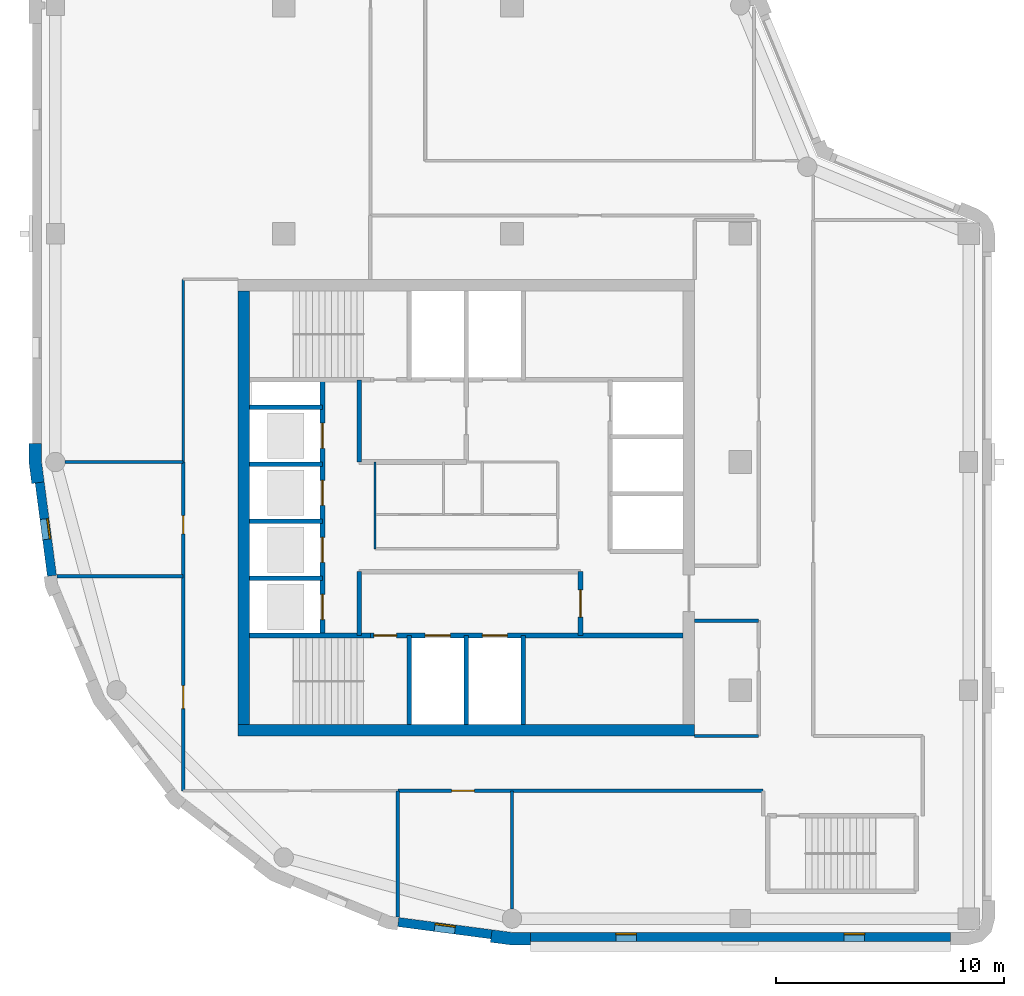
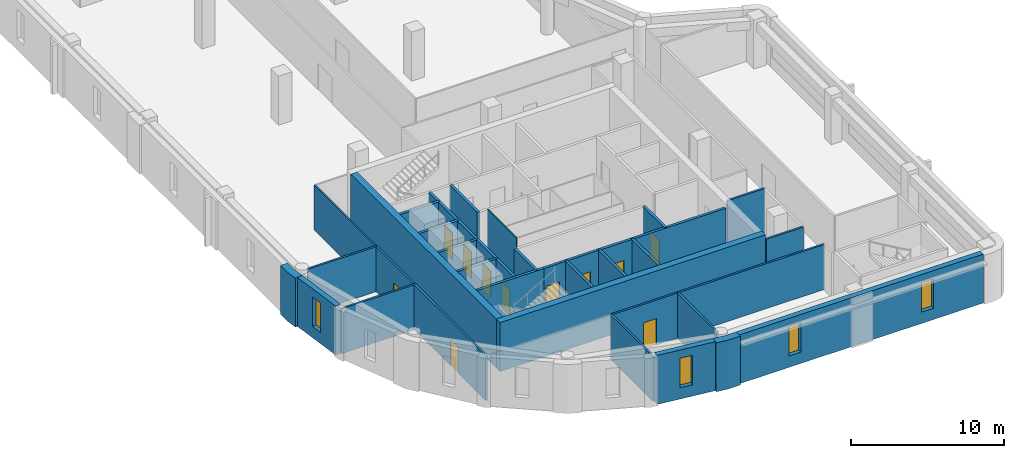
# One storey, part 2 of 8: 30 walls, 11 doors, 4 windows, 15 openings.
"""IFC4 building model written with IfcOpenShell, lengths in metres."""

from ifc_helpers import new_model, si_unit, direction, frame, frame_2d, origin, place, context, subcontext, project, spatial, polyline, rectangle, outline, extrude, material, layer, layer_set, type_object, element, fill, save


model = new_model("IFC4")

# Units and contexts
model_context = context("Model", 3, precision=1e-05, world=origin(), true_north=direction((0.0, 1.0)))
body_context = subcontext(model_context, "Body", "Model", "MODEL_VIEW")
ifc_project = project(units=[si_unit("LENGTHUNIT", "METRE"), si_unit("AREAUNIT", "SQUARE_METRE"), si_unit("VOLUMEUNIT", "CUBIC_METRE"), si_unit("PLANEANGLEUNIT", "RADIAN"), si_unit("MASSUNIT", "GRAM", prefix="KILO")], contexts=[model_context])

# Site, building, storey
site_placement = place(None, origin())
site = spatial("IfcSite", under=ifc_project, at=site_placement, CompositionType="ELEMENT")
building_placement = place(site_placement, origin())
building = spatial("IfcBuilding", under=site, at=building_placement, Name="Qaws Garden Tower", CompositionType="ELEMENT")
storey_placement = place(building_placement, frame((0.0, 0.0, 282.60009765625)))
storey = spatial("IfcBuildingStorey", under=building, at=storey_placement, Name="L68", CompositionType="ELEMENT", Elevation=282.60009765625)

# Wall, openings, windows
ifc_material_1 = material(Name="Clay facing brick masonry", Category="masonry")
ifc_layer_1 = layer(ifc_material_1, 0.39990234375)
ifc_layer_set_1 = layer_set([ifc_layer_1], Name="Clay facing brick masonry")
wall_type_1 = type_object("IfcWallType", Name="Brick infill wall 400", PredefinedType="SOLIDWALL", material=ifc_layer_set_1)
wall_1_placement = place(storey_placement, frame((20.800048828125, -0.800048828125, 0.0), z_axis=(0.0, 0.0, 1.0), x_axis=(1.0, 0.0, 0.0)))
wall_1 = element("IfcWall", 1, at=wall_1_placement, inside=storey, type_object=wall_type_1, Name="E-L68-infill-00", PredefinedType="SOLIDWALL", context=body_context, shape_type="SweptSolid", body=[
    extrude(rectangle(XDim=18.39990234375, YDim=0.39990234375, at=frame_2d((9.199951171875, 0.0))), origin(), (0.0, 0.0, 1.0), 3.89990234375),
])
opening_1_placement = place(wall_1_placement, frame((3.75, 0.0, 0.89990234375)))
opening_1 = element("IfcOpeningElement", 2, at=opening_1_placement, cuts=wall_1, Name="Opening W09", PredefinedType="OPENING", context=body_context, shape_type="SweptSolid", body=[
    extrude(rectangle(XDim=0.89990234375, YDim=2.35009765625, at=frame_2d((0.449951171875, 1.175048828125))), frame((0.0, 0.2099609375, 0.0), z_axis=(0.0, -1.0, 0.0), x_axis=(1.0, 0.0, 0.0)), (0.0, 0.0, 1.0), 0.419921875),
])
opening_2_placement = place(wall_1_placement, frame((13.75, 0.0, 0.89990234375)))
opening_2 = element("IfcOpeningElement", 3, at=opening_2_placement, cuts=wall_1, Name="Opening W09", PredefinedType="OPENING", context=body_context, shape_type="SweptSolid", body=[
    extrude(rectangle(XDim=0.89990234375, YDim=2.35009765625, at=frame_2d((0.449951171875, 1.175048828125))), frame((0.0, 0.2099609375, 0.0), z_axis=(0.0, -1.0, 0.0), x_axis=(1.0, 0.0, 0.0)), (0.0, 0.0, 1.0), 0.419921875),
])
ifc_material_2 = material(Name="Aluminium framed window, clear glazing", Category="aluminium")
window_type = type_object("IfcWindowType", Name="Slit window 900 x 2350", PartitioningType="SINGLE_PANEL", PredefinedType="WINDOW", material=ifc_material_2)
window_1_placement = place(opening_1_placement, origin())
window_1 = element("IfcWindow", 4, at=window_1_placement, inside=storey, type_object=window_type, Name="E-L68-window-00-0", OverallHeight=2.35009765625, OverallWidth=0.89990234375, PartitioningType="SINGLE_PANEL", PredefinedType="WINDOW", context=body_context, shape_type="SweptSolid", body=[
    extrude(rectangle(XDim=0.89990234375, YDim=2.35009765625, at=frame_2d((0.449951171875, 1.175048828125))), frame((0.0, 0.159912109375, 0.0), z_axis=(0.0, -1.0, 0.0), x_axis=(1.0, 0.0, 0.0)), (0.0, 0.0, 1.0), 0.06005859375),
])
fill(opening_1, window_1)
window_2_placement = place(opening_2_placement, origin())
window_2 = element("IfcWindow", 5, at=window_2_placement, inside=storey, type_object=window_type, Name="E-L68-window-01-0", OverallHeight=2.35009765625, OverallWidth=0.89990234375, PartitioningType="SINGLE_PANEL", PredefinedType="WINDOW", context=body_context, shape_type="SweptSolid", body=[
    extrude(rectangle(XDim=0.89990234375, YDim=2.35009765625, at=frame_2d((0.449951171875, 1.175048828125))), frame((0.0, 0.159912109375, 0.0), z_axis=(0.0, -1.0, 0.0), x_axis=(1.0, 0.0, 0.0)), (0.0, 0.0, 1.0), 0.06005859375),
])
fill(opening_2, window_2)

# Wall, opening, window
wall_2_placement = place(storey_placement, frame((-0.688720703125, 19.102294921875, 0.0), z_axis=(0.0, 0.0, 1.0), x_axis=(0.130514280502, -0.991446429508, 0.0)))
wall_2 = element("IfcWall", 6, at=wall_2_placement, inside=storey, type_object=wall_type_1, Name="E-L68-infill-21", PredefinedType="SOLIDWALL", context=body_context, shape_type="SweptSolid", body=[
    extrude(rectangle(XDim=4.120849609375, YDim=0.39990234375, at=frame_2d((2.060546875, 0.0))), origin(), (0.0, 0.0, 1.0), 3.89990234375),
])
opening_3_placement = place(wall_2_placement, frame((1.610595703125, 0.0, 0.89990234375)))
opening_3 = element("IfcOpeningElement", 7, at=opening_3_placement, cuts=wall_2, Name="Opening W09", PredefinedType="OPENING", context=body_context, shape_type="SweptSolid", body=[
    extrude(rectangle(XDim=0.89990234375, YDim=2.35009765625, at=frame_2d((0.449951171875, 1.175048828125))), frame((0.0, 0.2099609375, 0.0), z_axis=(0.0, -1.0, 0.0), x_axis=(1.0, 0.0, 0.0)), (0.0, 0.0, 1.0), 0.419921875),
])
window_3_placement = place(opening_3_placement, origin())
window_3 = element("IfcWindow", 8, at=window_3_placement, inside=storey, type_object=window_type, Name="E-L68-window-21-0", OverallHeight=2.35009765625, OverallWidth=0.89990234375, PartitioningType="SINGLE_PANEL", PredefinedType="WINDOW", context=body_context, shape_type="SweptSolid", body=[
    extrude(rectangle(XDim=0.89990234375, YDim=2.35009765625, at=frame_2d((0.449951171875, 1.175048828125))), frame((0.0, 0.159912109375, 0.0), z_axis=(0.0, -1.0, 0.0), x_axis=(1.0, 0.0, 0.0)), (0.0, 0.0, 1.0), 0.06005859375),
])
fill(opening_3, window_3)

wall_3_placement = place(storey_placement, frame((15.0166015625, -0.15087890625, 0.0), z_axis=(0.0, 0.0, 1.0), x_axis=(0.991446429508, -0.130514280502, 0.0)))
wall_3 = element("IfcWall", 9, at=wall_3_placement, inside=storey, type_object=wall_type_1, Name="E-L68-infill-26", PredefinedType="SOLIDWALL", context=body_context, shape_type="SweptSolid", body=[
    extrude(rectangle(XDim=4.120849609375, YDim=0.39990234375, at=frame_2d((2.060546875, 0.0))), origin(), (0.0, 0.0, 1.0), 3.89990234375),
])
opening_4_placement = place(wall_3_placement, frame((1.610595703125, 0.0, 0.89990234375)))
opening_4 = element("IfcOpeningElement", 10, at=opening_4_placement, cuts=wall_3, Name="Opening W09", PredefinedType="OPENING", context=body_context, shape_type="SweptSolid", body=[
    extrude(rectangle(XDim=0.89990234375, YDim=2.35009765625, at=frame_2d((0.449951171875, 1.175048828125))), frame((0.0, 0.2099609375, 0.0), z_axis=(0.0, -1.0, 0.0), x_axis=(1.0, 0.0, 0.0)), (0.0, 0.0, 1.0), 0.419921875),
])
window_4_placement = place(opening_4_placement, origin())
window_4 = element("IfcWindow", 11, at=window_4_placement, inside=storey, type_object=window_type, Name="E-L68-window-26-0", OverallHeight=2.35009765625, OverallWidth=0.89990234375, PartitioningType="SINGLE_PANEL", PredefinedType="WINDOW", context=body_context, shape_type="SweptSolid", body=[
    extrude(rectangle(XDim=0.89990234375, YDim=2.35009765625, at=frame_2d((0.449951171875, 1.175048828125))), frame((0.0, 0.159912109375, 0.0), z_axis=(0.0, -1.0, 0.0), x_axis=(1.0, 0.0, 0.0)), (0.0, 0.0, 1.0), 0.06005859375),
])
fill(opening_4, window_4)

# Walls
ifc_material_3 = material(Name="Clay facing brick masonry", Category="masonry")
ifc_layer_2 = layer(ifc_material_3, 0.550048828125)
ifc_layer_set_2 = layer_set([ifc_layer_2], Name="Clay facing brick masonry")
wall_type_2 = type_object("IfcWallType", Name="Brick pier 550 x 1600", PredefinedType="SOLIDWALL", material=ifc_layer_set_2)
placement = place(storey_placement, origin())
element("IfcWall", 12, at=placement, inside=storey, type_object=wall_type_2, Name="E-L68-pier-00", PredefinedType="SOLIDWALL", context=body_context, shape_type="SweptSolid", body=[
    extrude(outline(polyline([(19.076416015625, -0.886962890625), (19.056640625, -1.03564453125), (19.924560546875, -1.14990234375), (20.800048828125, -1.14990234375), (20.800048828125, -1.0), (20.800048828125, -0.60009765625), (19.960693359375, -0.60009765625), (19.12841796875, -0.490478515625), (19.076416015625, -0.886962890625)])), origin(), (0.0, 0.0, 1.0), 3.89990234375),
])
element("IfcWall", 13, at=placement, inside=storey, type_object=wall_type_2, Name="E-L68-pier-21", PredefinedType="SOLIDWALL", context=body_context, shape_type="SweptSolid", body=[
    extrude(outline(polyline([(-1.0, 20.800048828125), (-1.14990234375, 20.800048828125), (-1.14990234375, 19.924560546875), (-1.03564453125, 19.056640625), (-0.886962890625, 19.076416015625), (-0.490478515625, 19.12841796875), (-0.60009765625, 19.960693359375), (-0.60009765625, 20.800048828125), (-1.0, 20.800048828125)])), origin(), (0.0, 0.0, 1.0), 3.89990234375),
])
ifc_material_4 = material(Name="Plasterboard")
ifc_layer_3 = layer(ifc_material_4, 0.10009765625)
ifc_layer_set_3 = layer_set([ifc_layer_3], Name="Plasterboard")
wall_type_3 = type_object("IfcWallType", Name="Core partition 100", PredefinedType="PARTITIONING", material=ifc_layer_set_3)
wall_6_placement = place(storey_placement, frame((14.0, 16.199951171875, 0.0), z_axis=(0.0, 0.0, 1.0), x_axis=(0.0, 1.0, 0.0)))
element("IfcWall", 14, at=wall_6_placement, inside=storey, type_object=wall_type_3, Name="Core partition", PredefinedType="PARTITIONING", context=body_context, shape_type="SweptSolid", body=[
    extrude(rectangle(XDim=3.800048828125, YDim=0.10009765625, at=frame_2d((1.89990234375, 0.0))), origin(), (0.0, 0.0, 1.0), 3.579833984375),
])
ifc_material_5 = material(Name="Concrete C60", Category="concrete")
ifc_layer_4 = layer(ifc_material_5, 0.199951171875)
ifc_layer_set_4 = layer_set([ifc_layer_4], Name="Concrete C60")
wall_type_4 = type_object("IfcWallType", Name="Core shaft wall 200 C60", PredefinedType="SHEAR", material=ifc_layer_set_4)
wall_7_placement = place(storey_placement, frame((8.5, 12.39990234375, 0.0), z_axis=(0.0, 0.0, 1.0), x_axis=(1.0, 0.0, 0.0)))
element("IfcWall", 15, at=wall_7_placement, inside=storey, type_object=wall_type_4, Name="Shaft wall", PredefinedType="SHEAR", context=body_context, shape_type="SweptSolid", body=[
    extrude(rectangle(XDim=5.300048828125, YDim=0.199951171875, at=frame_2d((2.64990234375, 0.0))), origin(), (0.0, 0.0, 1.0), 3.579833984375),
])

# Wall, openings, doors
wall_8_placement = place(storey_placement, frame((13.800048828125, 12.39990234375, 0.0), z_axis=(0.0, 0.0, 1.0), x_axis=(1.0, 0.0, 0.0)))
wall_8 = element("IfcWall", 16, at=wall_8_placement, inside=storey, type_object=wall_type_4, Name="Shaft wall", PredefinedType="SHEAR", context=body_context, shape_type="SweptSolid", body=[
    extrude(rectangle(XDim=13.699951171875, YDim=0.199951171875, at=frame_2d((6.85009765625, 0.0))), origin(), (0.0, 0.0, 1.0), 3.579833984375),
])
opening_5_placement = place(wall_8_placement, frame((2.39990234375, 0.0, 0.0)))
opening_5 = element("IfcOpeningElement", 17, at=opening_5_placement, cuts=wall_8, Name="Opening LD06", PredefinedType="OPENING", context=body_context, shape_type="SweptSolid", body=[
    extrude(rectangle(XDim=1.10009765625, YDim=2.10009765625, at=frame_2d((0.550048828125, 1.050048828125))), frame((0.0, 0.10986328125, 0.0), z_axis=(0.0, -1.0, 0.0), x_axis=(1.0, 0.0, 0.0)), (0.0, 0.0, 1.0), 0.219970703125),
])
opening_6_placement = place(wall_8_placement, frame((4.89990234375, 0.0, 0.0)))
opening_6 = element("IfcOpeningElement", 18, at=opening_6_placement, cuts=wall_8, Name="Opening LD07", PredefinedType="OPENING", context=body_context, shape_type="SweptSolid", body=[
    extrude(rectangle(XDim=1.10009765625, YDim=2.10009765625, at=frame_2d((0.550048828125, 1.050048828125))), frame((0.0, 0.10986328125, 0.0), z_axis=(0.0, -1.0, 0.0), x_axis=(1.0, 0.0, 0.0)), (0.0, 0.0, 1.0), 0.219970703125),
])
opening_7_placement = place(wall_8_placement, frame((0.14990234375, 0.0, 0.0)))
opening_7 = element("IfcOpeningElement", 19, at=opening_7_placement, cuts=wall_8, Name="Opening SD10", PredefinedType="OPENING", context=body_context, shape_type="SweptSolid", body=[
    extrude(rectangle(XDim=1.0, YDim=2.10009765625, at=frame_2d((0.5, 1.050048828125))), frame((0.0, 0.10986328125, 0.0), z_axis=(0.0, -1.0, 0.0), x_axis=(1.0, 0.0, 0.0)), (0.0, 0.0, 1.0), 0.219970703125),
])
ifc_material_6 = material(Name="Steel S235", Category="steel")
door_type_1 = type_object("IfcDoorType", Name="Landing door 1100x2100", OperationType="DOUBLE_DOOR_SLIDING", PredefinedType="DOOR", material=ifc_material_6)
door_1_placement = place(opening_5_placement, origin())
door_1 = element("IfcDoor", 20, at=door_1_placement, inside=storey, type_object=door_type_1, Name="Lift FF1 landing door", OperationType="DOUBLE_DOOR_SLIDING", OverallHeight=2.10009765625, OverallWidth=1.10009765625, PredefinedType="DOOR", context=body_context, shape_type="SweptSolid", body=[
    extrude(rectangle(XDim=1.10009765625, YDim=2.10009765625, at=frame_2d((0.550048828125, 1.050048828125))), frame((0.0, 0.02490234375, 0.0), z_axis=(0.0, -1.0, 0.0), x_axis=(1.0, 0.0, 0.0)), (0.0, 0.0, 1.0), 0.050048828125),
])
fill(opening_5, door_1)
door_2_placement = place(opening_6_placement, origin())
door_2 = element("IfcDoor", 21, at=door_2_placement, inside=storey, type_object=door_type_1, Name="Lift FF2 landing door", OperationType="DOUBLE_DOOR_SLIDING", OverallHeight=2.10009765625, OverallWidth=1.10009765625, PredefinedType="DOOR", context=body_context, shape_type="SweptSolid", body=[
    extrude(rectangle(XDim=1.10009765625, YDim=2.10009765625, at=frame_2d((0.550048828125, 1.050048828125))), frame((0.0, 0.02490234375, 0.0), z_axis=(0.0, -1.0, 0.0), x_axis=(1.0, 0.0, 0.0)), (0.0, 0.0, 1.0), 0.050048828125),
])
fill(opening_6, door_2)
ifc_material_7 = material(Name="Steel S235", Category="steel")
door_type_2 = type_object("IfcDoorType", Name="Stair door 1000x2100", OperationType="SINGLE_SWING_RIGHT", PredefinedType="DOOR", material=ifc_material_7)
door_3_placement = place(opening_7_placement, frame((1.0, 0.0, 0.0), z_axis=(0.0, 0.0, 1.0), x_axis=(-1.0, 0.0, 0.0)))
door_3 = element("IfcDoor", 22, at=door_3_placement, inside=storey, type_object=door_type_2, Name="Stair 1 door", OperationType="SINGLE_SWING_LEFT", OverallHeight=2.10009765625, OverallWidth=1.0, PredefinedType="DOOR", context=body_context, shape_type="SweptSolid", body=[
    extrude(rectangle(XDim=1.0, YDim=2.10009765625, at=frame_2d((0.5, 1.050048828125))), frame((0.0, 0.02490234375, 0.0), z_axis=(0.0, -1.0, 0.0), x_axis=(1.0, 0.0, 0.0)), (0.0, 0.0, 1.0), 0.050048828125),
])
fill(opening_7, door_3)

# Walls
for number, where, z_axis, x_axis, name in (
    (23, (8.5, 14.89990234375, 0.0), (0.0, 0.0, 1.0), (1.0, 0.0, 0.0), "Shaft wall"),
    (24, (8.5, 17.39990234375, 0.0), (0.0, 0.0, 1.0), (1.0, 0.0, 0.0), "Shaft wall"),
    (25, (8.5, 19.89990234375, 0.0), (0.0, 0.0, 1.0), (1.0, 0.0, 0.0), "Shaft wall"),
    (26, (8.5, 22.39990234375, 0.0), (0.0, 0.0, 1.0), (1.0, 0.0, 0.0), "Shaft wall"),
):
    element("IfcWall", number, at=place(storey_placement, frame(where, z_axis=z_axis, x_axis=x_axis)), inside=storey, type_object=wall_type_4, Name=name, PredefinedType="SHEAR", context=body_context, shape_type="SweptSolid", body=[
        extrude(rectangle(XDim=3.199951171875, YDim=0.199951171875, at=frame_2d((1.60009765625, 0.0))), origin(), (0.0, 0.0, 1.0), 3.579833984375),
    ])

# Wall, openings, doors
wall_9_placement = place(storey_placement, frame((11.699951171875, 12.39990234375, 0.0), z_axis=(0.0, 0.0, 1.0), x_axis=(0.0, 1.0, 0.0)))
wall_9 = element("IfcWall", 27, at=wall_9_placement, inside=storey, type_object=wall_type_4, Name="Shaft wall", PredefinedType="SHEAR", context=body_context, shape_type="SweptSolid", body=[
    extrude(rectangle(XDim=11.2001953125, YDim=0.199951171875, at=frame_2d((5.60009765625, 0.0))), origin(), (0.0, 0.0, 1.0), 3.579833984375),
])
opening_8_placement = place(wall_9_placement, frame((0.699951171875, 0.0, 0.0)))
opening_8 = element("IfcOpeningElement", 28, at=opening_8_placement, cuts=wall_9, Name="Opening LD01", PredefinedType="OPENING", context=body_context, shape_type="SweptSolid", body=[
    extrude(rectangle(XDim=1.10009765625, YDim=2.10009765625, at=frame_2d((0.550048828125, 1.050048828125))), frame((0.0, 0.10986328125, 0.0), z_axis=(0.0, -1.0, 0.0), x_axis=(1.0, 0.0, 0.0)), (0.0, 0.0, 1.0), 0.219970703125),
])
opening_9_placement = place(wall_9_placement, frame((3.199951171875, 0.0, 0.0)))
opening_9 = element("IfcOpeningElement", 29, at=opening_9_placement, cuts=wall_9, Name="Opening LD02", PredefinedType="OPENING", context=body_context, shape_type="SweptSolid", body=[
    extrude(rectangle(XDim=1.10009765625, YDim=2.10009765625, at=frame_2d((0.550048828125, 1.050048828125))), frame((0.0, 0.10986328125, 0.0), z_axis=(0.0, -1.0, 0.0), x_axis=(1.0, 0.0, 0.0)), (0.0, 0.0, 1.0), 0.219970703125),
])
opening_10_placement = place(wall_9_placement, frame((5.699951171875, 0.0, 0.0)))
opening_10 = element("IfcOpeningElement", 30, at=opening_10_placement, cuts=wall_9, Name="Opening LD03", PredefinedType="OPENING", context=body_context, shape_type="SweptSolid", body=[
    extrude(rectangle(XDim=1.10009765625, YDim=2.10009765625, at=frame_2d((0.550048828125, 1.050048828125))), frame((0.0, 0.10986328125, 0.0), z_axis=(0.0, -1.0, 0.0), x_axis=(1.0, 0.0, 0.0)), (0.0, 0.0, 1.0), 0.219970703125),
])
opening_11_placement = place(wall_9_placement, frame((8.199951171875, 0.0, 0.0)))
opening_11 = element("IfcOpeningElement", 31, at=opening_11_placement, cuts=wall_9, Name="Opening LD04", PredefinedType="OPENING", context=body_context, shape_type="SweptSolid", body=[
    extrude(rectangle(XDim=1.10009765625, YDim=2.10009765625, at=frame_2d((0.550048828125, 1.050048828125))), frame((0.0, 0.10986328125, 0.0), z_axis=(0.0, -1.0, 0.0), x_axis=(1.0, 0.0, 0.0)), (0.0, 0.0, 1.0), 0.219970703125),
])
door_4_placement = place(opening_8_placement, origin())
door_4 = element("IfcDoor", 32, at=door_4_placement, inside=storey, type_object=door_type_1, Name="Lift W1 landing door", OperationType="DOUBLE_DOOR_SLIDING", OverallHeight=2.10009765625, OverallWidth=1.10009765625, PredefinedType="DOOR", context=body_context, shape_type="SweptSolid", body=[
    extrude(rectangle(XDim=1.10009765625, YDim=2.10009765625, at=frame_2d((0.550048828125, 1.050048828125))), frame((0.0, 0.02490234375, 0.0), z_axis=(0.0, -1.0, 0.0), x_axis=(1.0, 0.0, 0.0)), (0.0, 0.0, 1.0), 0.050048828125),
])
fill(opening_8, door_4)
door_5_placement = place(opening_9_placement, origin())
door_5 = element("IfcDoor", 33, at=door_5_placement, inside=storey, type_object=door_type_1, Name="Lift W2 landing door", OperationType="DOUBLE_DOOR_SLIDING", OverallHeight=2.10009765625, OverallWidth=1.10009765625, PredefinedType="DOOR", context=body_context, shape_type="SweptSolid", body=[
    extrude(rectangle(XDim=1.10009765625, YDim=2.10009765625, at=frame_2d((0.550048828125, 1.050048828125))), frame((0.0, 0.02490234375, 0.0), z_axis=(0.0, -1.0, 0.0), x_axis=(1.0, 0.0, 0.0)), (0.0, 0.0, 1.0), 0.050048828125),
])
fill(opening_9, door_5)
door_6_placement = place(opening_10_placement, origin())
door_6 = element("IfcDoor", 34, at=door_6_placement, inside=storey, type_object=door_type_1, Name="Lift W3 landing door", OperationType="DOUBLE_DOOR_SLIDING", OverallHeight=2.10009765625, OverallWidth=1.10009765625, PredefinedType="DOOR", context=body_context, shape_type="SweptSolid", body=[
    extrude(rectangle(XDim=1.10009765625, YDim=2.10009765625, at=frame_2d((0.550048828125, 1.050048828125))), frame((0.0, 0.02490234375, 0.0), z_axis=(0.0, -1.0, 0.0), x_axis=(1.0, 0.0, 0.0)), (0.0, 0.0, 1.0), 0.050048828125),
])
fill(opening_10, door_6)
door_7_placement = place(opening_11_placement, origin())
door_7 = element("IfcDoor", 35, at=door_7_placement, inside=storey, type_object=door_type_1, Name="Lift W4 landing door", OperationType="DOUBLE_DOOR_SLIDING", OverallHeight=2.10009765625, OverallWidth=1.10009765625, PredefinedType="DOOR", context=body_context, shape_type="SweptSolid", body=[
    extrude(rectangle(XDim=1.10009765625, YDim=2.10009765625, at=frame_2d((0.550048828125, 1.050048828125))), frame((0.0, 0.02490234375, 0.0), z_axis=(0.0, -1.0, 0.0), x_axis=(1.0, 0.0, 0.0)), (0.0, 0.0, 1.0), 0.050048828125),
])
fill(opening_11, door_7)

# Walls
wall_10_placement = place(storey_placement, frame((13.300048828125, 12.39990234375, 0.0), z_axis=(0.0, 0.0, 1.0), x_axis=(0.0, 1.0, 0.0)))
element("IfcWall", 36, at=wall_10_placement, inside=storey, type_object=wall_type_4, Name="Shaft wall", PredefinedType="SHEAR", context=body_context, shape_type="SweptSolid", body=[
    extrude(rectangle(XDim=2.800048828125, YDim=0.199951171875, at=frame_2d((1.39990234375, 0.0))), origin(), (0.0, 0.0, 1.0), 3.579833984375),
])
wall_11_placement = place(storey_placement, frame((13.300048828125, 20.0, 0.0), z_axis=(0.0, 0.0, 1.0), x_axis=(0.0, 1.0, 0.0)))
element("IfcWall", 37, at=wall_11_placement, inside=storey, type_object=wall_type_4, Name="Shaft wall", PredefinedType="SHEAR", context=body_context, shape_type="SweptSolid", body=[
    extrude(rectangle(XDim=3.60009765625, YDim=0.199951171875, at=frame_2d((1.800048828125, 0.0))), origin(), (0.0, 0.0, 1.0), 3.579833984375),
])
for number, where, z_axis, x_axis, name in (
    (38, (15.5, 8.5, 0.0), (0.0, 0.0, 1.0), (0.0, 1.0, 0.0), "Shaft wall"),
    (39, (18.0, 8.5, 0.0), (0.0, 0.0, 1.0), (0.0, 1.0, 0.0), "Shaft wall"),
    (40, (20.5, 8.5, 0.0), (0.0, 0.0, 1.0), (0.0, 1.0, 0.0), "Shaft wall"),
):
    element("IfcWall", number, at=place(storey_placement, frame(where, z_axis=z_axis, x_axis=x_axis)), inside=storey, type_object=wall_type_4, Name=name, PredefinedType="SHEAR", context=body_context, shape_type="SweptSolid", body=[
        extrude(rectangle(XDim=3.89990234375, YDim=0.199951171875, at=frame_2d((1.949951171875, 0.0))), origin(), (0.0, 0.0, 1.0), 3.579833984375),
    ])

# Wall, opening, door
wall_12_placement = place(storey_placement, frame((23.0, 12.39990234375, 0.0), z_axis=(0.0, 0.0, 1.0), x_axis=(0.0, 1.0, 0.0)))
wall_12 = element("IfcWall", 41, at=wall_12_placement, inside=storey, type_object=wall_type_4, Name="Shaft wall", PredefinedType="SHEAR", context=body_context, shape_type="SweptSolid", body=[
    extrude(rectangle(XDim=2.800048828125, YDim=0.199951171875, at=frame_2d((1.39990234375, 0.0))), origin(), (0.0, 0.0, 1.0), 3.579833984375),
])
opening_12_placement = place(wall_12_placement, frame((0.800048828125, 0.0, 0.0)))
opening_12 = element("IfcOpeningElement", 42, at=opening_12_placement, cuts=wall_12, Name="Opening FD15", PredefinedType="OPENING", context=body_context, shape_type="SweptSolid", body=[
    extrude(rectangle(XDim=1.199951171875, YDim=2.10009765625, at=frame_2d((0.60009765625, 1.050048828125))), frame((0.0, 0.10986328125, 0.0), z_axis=(0.0, -1.0, 0.0), x_axis=(1.0, 0.0, 0.0)), (0.0, 0.0, 1.0), 0.219970703125),
])
ifc_material_8 = material(Name="Steel S235", Category="steel")
door_type_3 = type_object("IfcDoorType", Name="Lobby door 1200x2100", OperationType="DOUBLE_DOOR_SINGLE_SWING", PredefinedType="DOOR", material=ifc_material_8)
door_8_placement = place(opening_12_placement, origin())
door_8 = element("IfcDoor", 43, at=door_8_placement, inside=storey, type_object=door_type_3, Name="Fire-fighting lobby door", OperationType="DOUBLE_DOOR_SINGLE_SWING", OverallHeight=2.10009765625, OverallWidth=1.199951171875, PredefinedType="DOOR", context=body_context, shape_type="SweptSolid", body=[
    extrude(rectangle(XDim=1.199951171875, YDim=2.10009765625, at=frame_2d((0.60009765625, 1.050048828125))), frame((0.0, 0.02490234375, 0.0), z_axis=(0.0, -1.0, 0.0), x_axis=(1.0, 0.0, 0.0)), (0.0, 0.0, 1.0), 0.050048828125),
])
fill(opening_12, door_8)

# Walls
ifc_material_9 = material(Name="Concrete C60", Category="concrete")
ifc_layer_5 = layer(ifc_material_9, 0.5)
ifc_layer_set_5 = layer_set([ifc_layer_5], Name="Concrete C60")
wall_type_5 = type_object("IfcWallType", Name="Core wall 500 C60", PredefinedType="SHEAR", material=ifc_layer_set_5)
wall_13_placement = place(storey_placement, frame((8.0, 8.25, 0.0), z_axis=(0.0, 0.0, 1.0), x_axis=(1.0, 0.0, 0.0)))
element("IfcWall", 44, at=wall_13_placement, inside=storey, type_object=wall_type_5, Name="Core wall L68 south", PredefinedType="SHEAR", context=body_context, shape_type="SweptSolid", body=[
    extrude(rectangle(XDim=20.0, YDim=0.5, at=frame_2d((10.0, 0.0))), origin(), (0.0, 0.0, 1.0), 3.89990234375),
])
wall_14_placement = place(storey_placement, frame((8.25, 27.5, 0.0), z_axis=(0.0, 0.0, 1.0), x_axis=(0.0, -1.0, 0.0)))
element("IfcWall", 45, at=wall_14_placement, inside=storey, type_object=wall_type_5, Name="Core wall L68 west", PredefinedType="SHEAR", context=body_context, shape_type="SweptSolid", body=[
    extrude(rectangle(XDim=19.0, YDim=0.5, at=frame_2d((9.5, 0.0))), origin(), (0.0, 0.0, 1.0), 3.89990234375),
])
ifc_material_10 = material(Name="Glass and aluminium framing", Category="aluminium")
ifc_layer_6 = layer(ifc_material_10, 0.1201171875)
ifc_layer_set_6 = layer_set([ifc_layer_6], Name="Glass and aluminium framing")
wall_type_6 = type_object("IfcWallType", Name="GLAZED PARTITION 120 EI 30", PredefinedType="PARTITIONING", material=ifc_layer_set_6)
wall_15_placement = place(storey_placement, frame((5.60009765625, 20.0, 0.0), z_axis=(0.0, 0.0, 1.0), x_axis=(0.0, 1.0, 0.0)))
element("IfcWall", 46, at=wall_15_placement, inside=storey, type_object=wall_type_6, Name="O-L68-wall-028", PredefinedType="PARTITIONING", context=body_context, shape_type="SweptSolid", body=[
    extrude(rectangle(XDim=8.0, YDim=0.1201171875, at=frame_2d((4.0, 0.0))), origin(), (0.0, 0.0, 1.0), 3.579833984375),
])

# Wall, openings, doors
ifc_material_11 = material(Name="Gypsum board partition")
ifc_layer_7 = layer(ifc_material_11, 0.14990234375)
ifc_layer_set_7 = layer_set([ifc_layer_7], Name="Gypsum board partition")
wall_type_7 = type_object("IfcWallType", Name="PARTITION 150 EI 60", PredefinedType="PARTITIONING", material=ifc_layer_set_7)
wall_16_placement = place(storey_placement, frame((5.60009765625, 5.60009765625, 0.0), z_axis=(0.0, 0.0, 1.0), x_axis=(0.0, 1.0, 0.0)))
wall_16 = element("IfcWall", 47, at=wall_16_placement, inside=storey, type_object=wall_type_7, Name="O-L68-wall-001", PredefinedType="PARTITIONING", context=body_context, shape_type="SweptSolid", body=[
    extrude(rectangle(XDim=14.39990234375, YDim=0.14990234375, at=frame_2d((7.199951171875, 0.0))), origin(), (0.0, 0.0, 1.0), 3.579833984375),
])
opening_13_placement = place(wall_16_placement, frame((3.60009765625, 0.0, 0.0)))
opening_13 = element("IfcOpeningElement", 48, at=opening_13_placement, cuts=wall_16, Name="Opening C4B01", PredefinedType="OPENING", context=body_context, shape_type="SweptSolid", body=[
    extrude(rectangle(XDim=1.0, YDim=2.10009765625, at=frame_2d((0.5, 1.050048828125))), frame((0.0, 0.0849609375, 0.0), z_axis=(0.0, -1.0, 0.0), x_axis=(1.0, 0.0, 0.0)), (0.0, 0.0, 1.0), 0.169921875),
])
opening_14_placement = place(wall_16_placement, frame((11.25, 0.0, 0.0)))
opening_14 = element("IfcOpeningElement", 49, at=opening_14_placement, cuts=wall_16, Name="Opening C4B02", PredefinedType="OPENING", context=body_context, shape_type="SweptSolid", body=[
    extrude(rectangle(XDim=0.800048828125, YDim=2.10009765625, at=frame_2d((0.39990234375, 1.050048828125))), frame((0.0, 0.0849609375, 0.0), z_axis=(0.0, -1.0, 0.0), x_axis=(1.0, 0.0, 0.0)), (0.0, 0.0, 1.0), 0.169921875),
])
ifc_material_12 = material(Name="Timber door leaf", Category="wood")
door_type_4 = type_object("IfcDoorType", Name="STORE DOOR 800 X 2100", OperationType="SINGLE_SWING_LEFT", PredefinedType="DOOR", material=ifc_material_12)
door_9_placement = place(opening_14_placement, origin())
door_9 = element("IfcDoor", 50, at=door_9_placement, inside=storey, type_object=door_type_4, Name="O-L68-door-002", OperationType="SINGLE_SWING_RIGHT", OverallHeight=2.10009765625, OverallWidth=0.800048828125, PredefinedType="DOOR", context=body_context, shape_type="SweptSolid", body=[
    extrude(rectangle(XDim=0.800048828125, YDim=2.10009765625, at=frame_2d((0.39990234375, 1.050048828125))), frame((0.0, 0.02490234375, 0.0), z_axis=(0.0, -1.0, 0.0), x_axis=(1.0, 0.0, 0.0)), (0.0, 0.0, 1.0), 0.050048828125),
])
fill(opening_14, door_9)
ifc_material_13 = material(Name="Timber door leaf", Category="wood")
door_type_5 = type_object("IfcDoorType", Name="TENANCY ENTRANCE DOOR 1000 X 2100", OperationType="SINGLE_SWING_LEFT", PredefinedType="DOOR", material=ifc_material_13)
door_10_placement = place(opening_13_placement, origin())
door_10 = element("IfcDoor", 51, at=door_10_placement, inside=storey, type_object=door_type_5, Name="O-L68-door-001", OperationType="SINGLE_SWING_RIGHT", OverallHeight=2.10009765625, OverallWidth=1.0, PredefinedType="DOOR", context=body_context, shape_type="SweptSolid", body=[
    extrude(rectangle(XDim=1.0, YDim=2.10009765625, at=frame_2d((0.5, 1.050048828125))), frame((0.0, 0.02490234375, 0.0), z_axis=(0.0, -1.0, 0.0), x_axis=(1.0, 0.0, 0.0)), (0.0, 0.0, 1.0), 0.050048828125),
])
fill(opening_13, door_10)

# Walls
wall_17_placement = place(storey_placement, frame((15.0, 0.06298828125, 0.0), z_axis=(0.0, 0.0, 1.0), x_axis=(0.0, 1.0, 0.0)))
element("IfcWall", 52, at=wall_17_placement, inside=storey, type_object=wall_type_7, Name="O-L68-wall-003", PredefinedType="PARTITIONING", context=body_context, shape_type="SweptSolid", body=[
    extrude(rectangle(XDim=5.537109375, YDim=0.14990234375, at=frame_2d((2.7685546875, 0.0))), origin(), (0.0, 0.0, 1.0), 3.579833984375),
])
wall_18_placement = place(storey_placement, frame((20.0, 0.425048828125, 0.0), z_axis=(0.0, 0.0, 1.0), x_axis=(0.0, 1.0, 0.0)))
element("IfcWall", 53, at=wall_18_placement, inside=storey, type_object=wall_type_7, Name="O-L68-wall-005", PredefinedType="PARTITIONING", context=body_context, shape_type="SweptSolid", body=[
    extrude(rectangle(XDim=5.175048828125, YDim=0.14990234375, at=frame_2d((2.58740234375, 0.0))), origin(), (0.0, 0.0, 1.0), 3.579833984375),
])

# Wall, opening, door
wall_19_placement = place(storey_placement, frame((15.0, 5.60009765625, 0.0), z_axis=(0.0, 0.0, 1.0), x_axis=(1.0, 0.0, 0.0)))
wall_19 = element("IfcWall", 54, at=wall_19_placement, inside=storey, type_object=wall_type_7, Name="O-L68-wall-014", PredefinedType="PARTITIONING", context=body_context, shape_type="SweptSolid", body=[
    extrude(rectangle(XDim=16.0, YDim=0.14990234375, at=frame_2d((8.0, 0.0))), origin(), (0.0, 0.0, 1.0), 3.579833984375),
])
opening_15_placement = place(wall_19_placement, frame((2.35009765625, 0.0, 0.0)))
opening_15 = element("IfcOpeningElement", 55, at=opening_15_placement, cuts=wall_19, Name="Opening C4B07", PredefinedType="OPENING", context=body_context, shape_type="SweptSolid", body=[
    extrude(rectangle(XDim=1.0, YDim=2.10009765625, at=frame_2d((0.5, 1.050048828125))), frame((0.0, 0.0849609375, 0.0), z_axis=(0.0, -1.0, 0.0), x_axis=(1.0, 0.0, 0.0)), (0.0, 0.0, 1.0), 0.169921875),
])
door_11_placement = place(opening_15_placement, frame((1.0, 0.0, 0.0), z_axis=(0.0, 0.0, 1.0), x_axis=(-1.0, 0.0, 0.0)))
door_11 = element("IfcDoor", 56, at=door_11_placement, inside=storey, type_object=door_type_5, Name="O-L68-door-007", OperationType="SINGLE_SWING_LEFT", OverallHeight=2.10009765625, OverallWidth=1.0, PredefinedType="DOOR", context=body_context, shape_type="SweptSolid", body=[
    extrude(rectangle(XDim=1.0, YDim=2.10009765625, at=frame_2d((0.5, 1.050048828125))), frame((0.0, 0.02490234375, 0.0), z_axis=(0.0, -1.0, 0.0), x_axis=(1.0, 0.0, 0.0)), (0.0, 0.0, 1.0), 0.050048828125),
])
fill(opening_15, door_11)

# Walls
for number, where, z_axis, x_axis, name in (
    (57, (28.0, 8.0, 0.0), (0.0, 0.0, 1.0), (1.0, 0.0, 0.0), "O-L68-wall-015"),
    (58, (28.0, 13.050048828125, 0.0), (0.0, 0.0, 1.0), (1.0, 0.0, 0.0), "O-L68-wall-017"),
):
    element("IfcWall", number, at=place(storey_placement, frame(where, z_axis=z_axis, x_axis=x_axis)), inside=storey, type_object=wall_type_7, Name=name, PredefinedType="PARTITIONING", context=body_context, shape_type="SweptSolid", body=[
        extrude(rectangle(XDim=2.800048828125, YDim=0.14990234375, at=frame_2d((1.39990234375, 0.0))), origin(), (0.0, 0.0, 1.0), 3.579833984375),
    ])
wall_20_placement = place(storey_placement, frame((0.06298828125, 15.0, 0.0), z_axis=(0.0, 0.0, 1.0), x_axis=(1.0, 0.0, 0.0)))
element("IfcWall", 59, at=wall_20_placement, inside=storey, type_object=wall_type_7, Name="O-L68-wall-018", PredefinedType="PARTITIONING", context=body_context, shape_type="SweptSolid", body=[
    extrude(rectangle(XDim=5.537109375, YDim=0.14990234375, at=frame_2d((2.7685546875, 0.0))), origin(), (0.0, 0.0, 1.0), 3.579833984375),
])
wall_21_placement = place(storey_placement, frame((0.425048828125, 20.0, 0.0), z_axis=(0.0, 0.0, 1.0), x_axis=(1.0, 0.0, 0.0)))
element("IfcWall", 60, at=wall_21_placement, inside=storey, type_object=wall_type_7, Name="O-L68-wall-020", PredefinedType="PARTITIONING", context=body_context, shape_type="SweptSolid", body=[
    extrude(rectangle(XDim=5.175048828125, YDim=0.14990234375, at=frame_2d((2.58740234375, 0.0))), origin(), (0.0, 0.0, 1.0), 3.579833984375),
])

save(model, "model.ifc")
